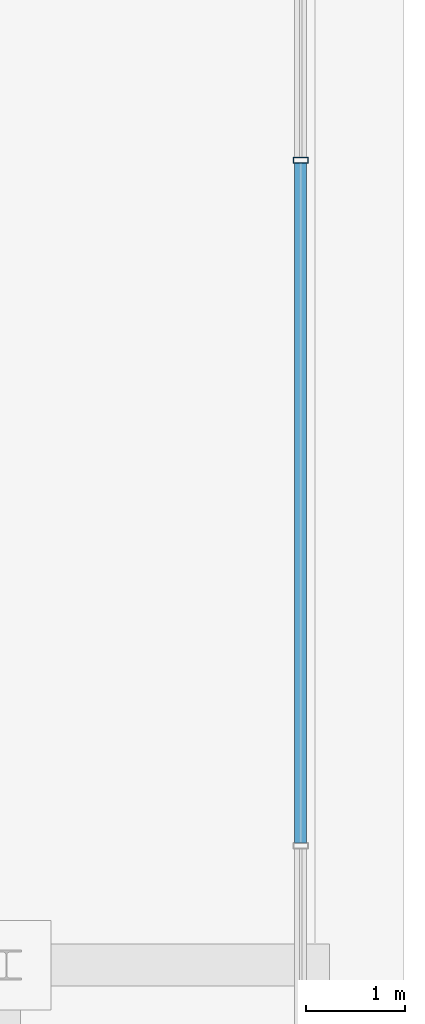
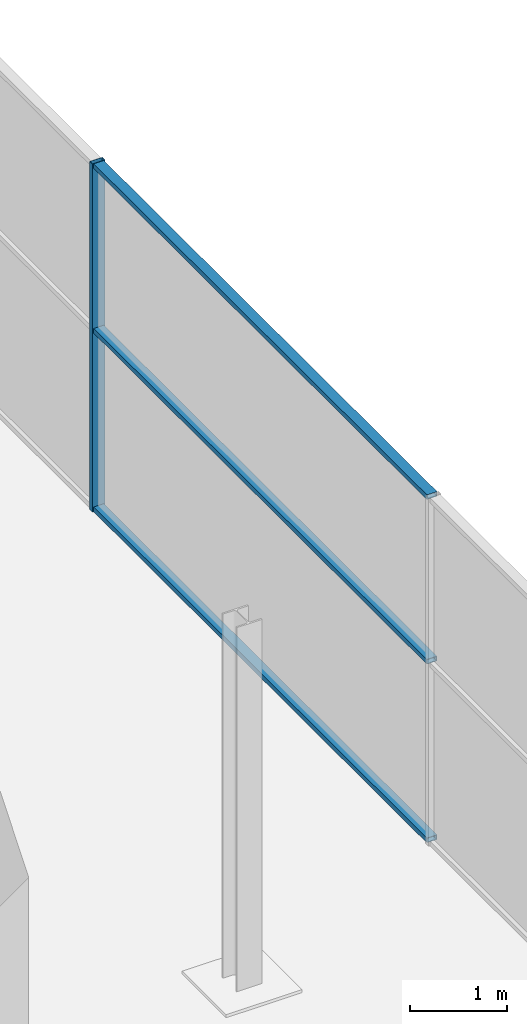
# One storey, part 17 of 28: 4 members, 1 element without a shape of its own.
"""IFC4 building model written with IfcOpenShell, lengths in metres."""

from ifc_helpers import new_model, si_unit, direction, frame, origin, origin_2d, place, context, subcontext, project, spatial, hollow_rectangle, extrude, source, transform, mapped, material, layer, layer_set, material_profile, profile_set, type_object, element, aggregate, save


model = new_model("IFC4")

# Units and contexts
model_context = context("Model", 3, precision=1e-05, world=origin(), true_north=direction((0.0, 1.0)))
body_context = subcontext(model_context, "Body", "Model", "MODEL_VIEW")
ifc_project = project(units=[si_unit("LENGTHUNIT", "METRE"), si_unit("AREAUNIT", "SQUARE_METRE"), si_unit("VOLUMEUNIT", "CUBIC_METRE"), si_unit("PLANEANGLEUNIT", "RADIAN"), si_unit("MASSUNIT", "GRAM", prefix="KILO")], contexts=[model_context])

# Site, building, storey
site_placement = place(None, origin())
site = spatial("IfcSite", under=ifc_project, at=site_placement, CompositionType="ELEMENT")
building_placement = place(site_placement, origin())
building = spatial("IfcBuilding", under=site, at=building_placement, Name="Zarnakvel Exchange Tower", CompositionType="ELEMENT")
storey_placement = place(building_placement, frame((0.0, 0.0, 271.60009765625)))
storey = spatial("IfcBuildingStorey", under=building, at=storey_placement, Name="Crown L77", CompositionType="ELEMENT", Elevation=271.60009765625)

# Curtain wall, members
ifc_material = material(Name="Architectural Bronze Anodised Aluminium", Category="aluminium")
ifc_layer = layer(ifc_material, 0.14990234375)
ifc_layer_set = layer_set([ifc_layer], Name="Architectural Bronze Anodised Aluminium")
curtain_wall_type = type_object("IfcCurtainWallType", Name="CW-07", PredefinedType="NOTDEFINED", material=ifc_layer_set)
curtain_wall_placement = place(storey_placement, origin())
curtain_wall = element("IfcCurtainWall", 1, at=curtain_wall_placement, inside=storey, type_object=curtain_wall_type, Name="Crown L77 Curtain Wall CW-Crown L77-E (CW-07)", PredefinedType="NOTDEFINED")
ifc_material_profile_1 = material_profile(ifc_material, hollow_rectangle(XDim=0.14990234375, YDim=0.06005859375, WallThickness=0.00390625, at=origin_2d()))
ifc_profile_set_1 = profile_set([ifc_material_profile_1], Name="Architectural Bronze Anodised Aluminium")
member_type_1 = type_object("IfcMemberType", Name="CWM-07", PredefinedType="MULLION", material=ifc_profile_set_1)
shared_shape_1 = source(origin(), body_context, "Body", "SweptSolid", [
    extrude(hollow_rectangle(XDim=0.14990234375, YDim=0.06005859375, WallThickness=0.00390625, at=origin_2d()), origin(), (0.0, 0.0, 1.0), 4.35986328125),
])
member_1_placement = place(storey_placement, frame((20.56005859375, 6.89990234375, 0.0), z_axis=(0.0, 0.0, 1.0), x_axis=(-1.0, 0.0, 0.0)))
member_1 = element("IfcMember", 2, at=member_1_placement, type_object=member_type_1, Name="CW-07 mullion 4", PredefinedType="MULLION", context=body_context, shape_type="MappedRepresentation", body=[
    mapped(shared_shape_1, transform((0.0, 0.0, 0.0), x_axis=(1.0, 0.0, 0.0), y_axis=(0.0, 1.0, 0.0), z_axis=(0.0, 0.0, 1.0), scale=1.0)),
])
ifc_material_profile_2 = material_profile(ifc_material, hollow_rectangle(XDim=0.1201171875, YDim=0.06005859375, WallThickness=0.00390625, at=origin_2d()))
ifc_profile_set_2 = profile_set([ifc_material_profile_2], Name="Architectural Bronze Anodised Aluminium")
member_type_2 = type_object("IfcMemberType", Name="CWT-07", PredefinedType="USERDEFINED", material=ifc_profile_set_2)
shared_shape_2 = source(origin(), body_context, "Body", "SweptSolid", [
    extrude(hollow_rectangle(XDim=0.1201171875, YDim=0.06005859375, WallThickness=0.00390625, at=origin_2d()), origin(), (0.0, 0.0, 1.0), 6.840087890625),
])
member_2_placement = place(storey_placement, frame((20.56005859375, 0.030029296875, 0.02978515625), z_axis=(0.0, 1.0, 0.0), x_axis=(-1.0, 0.0, 0.0)))
member_2 = element("IfcMember", 3, at=member_2_placement, type_object=member_type_2, Name="CW-07 transom 3.1", ObjectType="TRANSOM", PredefinedType="USERDEFINED", context=body_context, shape_type="MappedRepresentation", body=[
    mapped(shared_shape_2, transform((0.0, 0.0, 0.0), x_axis=(1.0, 0.0, 0.0), y_axis=(0.0, 1.0, 0.0), z_axis=(0.0, 0.0, 1.0), scale=1.0)),
])
member_3_placement = place(storey_placement, frame((20.56005859375, 0.030029296875, 2.26708984375), z_axis=(0.0, 1.0, 0.0), x_axis=(-1.0, 0.0, 0.0)))
member_3 = element("IfcMember", 4, at=member_3_placement, type_object=member_type_2, Name="CW-07 transom 3.2", ObjectType="TRANSOM", PredefinedType="USERDEFINED", context=body_context, shape_type="MappedRepresentation", body=[
    mapped(shared_shape_2, transform((0.0, 0.0, 0.0), x_axis=(1.0, 0.0, 0.0), y_axis=(0.0, 1.0, 0.0), z_axis=(0.0, 0.0, 1.0), scale=1.0)),
])
member_4_placement = place(storey_placement, frame((20.56005859375, 0.030029296875, 4.329833984375), z_axis=(0.0, 1.0, 0.0), x_axis=(-1.0, 0.0, 0.0)))
member_4 = element("IfcMember", 5, at=member_4_placement, type_object=member_type_2, Name="CW-07 transom 3.3", ObjectType="TRANSOM", PredefinedType="USERDEFINED", context=body_context, shape_type="MappedRepresentation", body=[
    mapped(shared_shape_2, transform((0.0, 0.0, 0.0), x_axis=(1.0, 0.0, 0.0), y_axis=(0.0, 1.0, 0.0), z_axis=(0.0, 0.0, 1.0), scale=1.0)),
])
aggregate(curtain_wall, [member_1, member_2, member_3, member_4])

save(model, "model.ifc")
